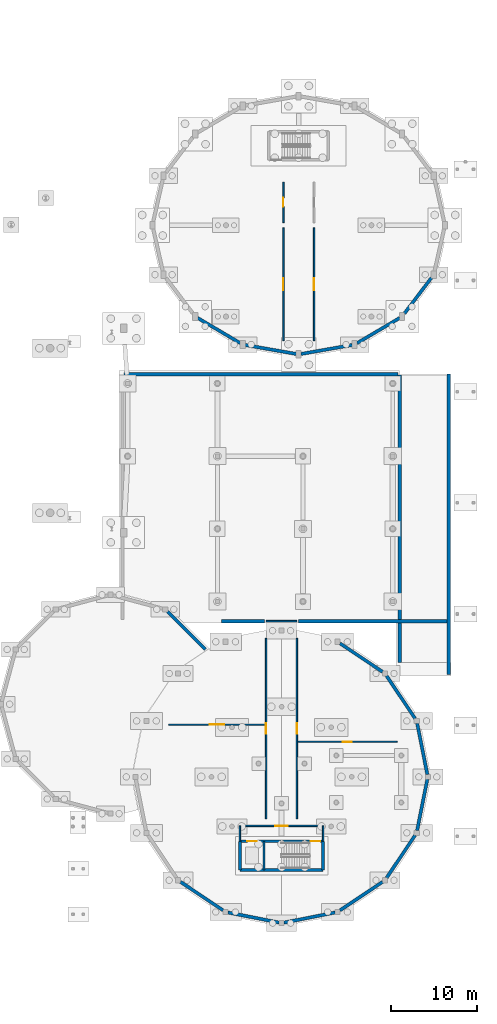
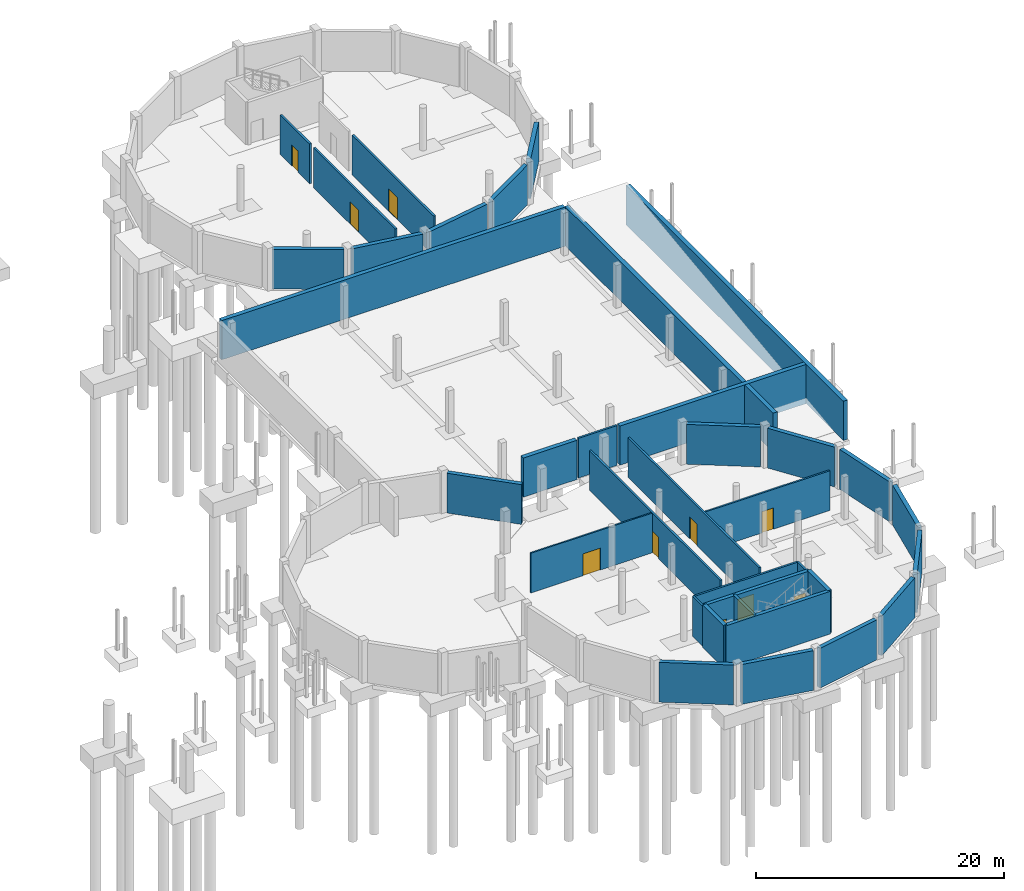
# One storey, part 35 of 43: 36 walls, 10 doors, 10 openings.
"""IFC4 building model written with IfcOpenShell, lengths in metres."""

from ifc_helpers import new_model, si_unit, direction, frame, frame_2d, origin, place, context, subcontext, project, spatial, rectangle, extrude, material, layer, layer_set, type_object, element, fill, save


model = new_model("IFC4")

# Units and contexts
model_context = context("Model", 3, precision=1e-05, world=origin(), true_north=direction((0.0, 1.0)))
body_context = subcontext(model_context, "Body", "Model", "MODEL_VIEW")
ifc_project = project(units=[si_unit("LENGTHUNIT", "METRE"), si_unit("AREAUNIT", "SQUARE_METRE"), si_unit("VOLUMEUNIT", "CUBIC_METRE"), si_unit("PLANEANGLEUNIT", "RADIAN"), si_unit("MASSUNIT", "GRAM", prefix="KILO")], contexts=[model_context])

# Site, building, storey
site_placement = place(None, origin())
site = spatial("IfcSite", under=ifc_project, at=site_placement, CompositionType="ELEMENT")
building_placement = place(site_placement, origin())
building = spatial("IfcBuilding", under=site, at=building_placement, Name="Vespera Passage Community Centre", CompositionType="ELEMENT")
storey_placement = place(building_placement, frame((0.0, 0.0, -4.199951171875)))
storey = spatial("IfcBuildingStorey", under=building, at=storey_placement, Name="B1", CompositionType="ELEMENT", Elevation=-4.199951171875)

# Wall, openings, doors
ifc_material_1 = material(Name="Concrete f'c 45 MPa", Category="concrete")
ifc_layer_1 = layer(ifc_material_1, 0.340087890625)
ifc_layer_set_1 = layer_set([ifc_layer_1], Name="Concrete f'c 45 MPa")
wall_type_1 = type_object("IfcWallType", Name="WT-CORE-340I", PredefinedType="SHEAR", material=ifc_layer_set_1)
wall_1_placement = place(storey_placement, frame((136.135009765625, 17.469970703125, 0.0), z_axis=(0.0, 0.0, 1.0), x_axis=(1.0, 0.0, 0.0)))
wall_1 = element("IfcWall", 1, at=wall_1_placement, inside=storey, type_object=wall_type_1, Name="Core C7 B1 Shear Wall FRONT", PredefinedType="SHEAR", context=body_context, shape_type="SweptSolid", body=[
    extrude(rectangle(XDim=9.72998046875, YDim=0.340087890625, at=frame_2d((4.864990234375, 0.0))), origin(), (0.0, 0.0, 1.0), 4.199951171875),
])
opening_1_placement = place(wall_1_placement, frame((8.264892578125, 0.0, 0.0)))
opening_1 = element("IfcOpeningElement", 2, at=opening_1_placement, cuts=wall_1, Name="Opening DT-STAIR-90", PredefinedType="OPENING", context=body_context, shape_type="SweptSolid", body=[
    extrude(rectangle(XDim=1.14990234375, YDim=2.14990234375, at=frame_2d((0.574951171875, 1.074951171875))), frame((0.0, 0.179931640625, 0.0), z_axis=(0.0, -1.0, 0.0), x_axis=(1.0, 0.0, 0.0)), (0.0, 0.0, 1.0), 0.360107421875),
])
opening_2_placement = place(wall_1_placement, frame((0.8701171875, 0.0, 0.0)))
opening_2 = element("IfcOpeningElement", 3, at=opening_2_placement, cuts=wall_1, Name="Opening DT-LIFT-110", PredefinedType="OPENING", context=body_context, shape_type="SweptSolid", body=[
    extrude(rectangle(XDim=1.10009765625, YDim=2.14990234375, at=frame_2d((0.550048828125, 1.074951171875))), frame((0.0, 0.179931640625, 0.0), z_axis=(0.0, -1.0, 0.0), x_axis=(1.0, 0.0, 0.0)), (0.0, 0.0, 1.0), 0.360107421875),
])
ifc_material_2 = material(Name="Painted hollow-metal acoustic door", Category="steel")
door_type_1 = type_object("IfcDoorType", Name="DT-LIFT-110", OperationType="NOTDEFINED", PredefinedType="DOOR", material=ifc_material_2)
door_1_placement = place(opening_2_placement, origin())
door_1 = element("IfcDoor", 4, at=door_1_placement, inside=storey, type_object=door_type_1, Name="Elevator EL-05 B1 Landing Door LD-026", OperationType="SLIDING_TO_LEFT", OverallHeight=2.14990234375, OverallWidth=1.10009765625, PredefinedType="DOOR", context=body_context, shape_type="SweptSolid", body=[
    extrude(rectangle(XDim=1.10009765625, YDim=2.14990234375, at=frame_2d((0.550048828125, 1.074951171875))), frame((0.0, 0.02490234375, 0.0), z_axis=(0.0, -1.0, 0.0), x_axis=(1.0, 0.0, 0.0)), (0.0, 0.0, 1.0), 0.050048828125),
])
fill(opening_2, door_1)
ifc_material_3 = material(Name="Painted hollow-metal acoustic door", Category="steel")
door_type_2 = type_object("IfcDoorType", Name="DT-STAIR-90", OperationType="NOTDEFINED", PredefinedType="DOOR", material=ifc_material_3)
door_2_placement = place(opening_1_placement, origin())
door_2 = element("IfcDoor", 5, at=door_2_placement, inside=storey, type_object=door_type_2, Name="Core C7 B1 Exit Stair Door D-109", OperationType="SINGLE_SWING_LEFT", OverallHeight=2.14990234375, OverallWidth=1.14990234375, PredefinedType="DOOR", context=body_context, shape_type="SweptSolid", body=[
    extrude(rectangle(XDim=1.14990234375, YDim=2.14990234375, at=frame_2d((0.574951171875, 1.074951171875))), frame((0.0, 0.02490234375, 0.0), z_axis=(0.0, -1.0, 0.0), x_axis=(1.0, 0.0, 0.0)), (0.0, 0.0, 1.0), 0.050048828125),
])
fill(opening_1, door_2)

# Walls
wall_2_placement = place(storey_placement, frame((145.864990234375, 17.469970703125, 0.0), z_axis=(0.0, 0.0, 1.0), x_axis=(0.0, -1.0, 0.0)))
element("IfcWall", 6, at=wall_2_placement, inside=storey, type_object=wall_type_1, Name="Core C7 B1 Shear Wall LEFT", PredefinedType="SHEAR", context=body_context, shape_type="SweptSolid", body=[
    extrude(rectangle(XDim=3.340087890625, YDim=0.340087890625, at=frame_2d((1.669921875, 0.0))), origin(), (0.0, 0.0, 1.0), 4.199951171875),
])
wall_3_placement = place(storey_placement, frame((145.864990234375, 14.1298828125, 0.0), z_axis=(0.0, 0.0, 1.0), x_axis=(-1.0, 0.0, 0.0)))
element("IfcWall", 7, at=wall_3_placement, inside=storey, type_object=wall_type_1, Name="Core C7 B1 Shear Wall BACK", PredefinedType="SHEAR", context=body_context, shape_type="SweptSolid", body=[
    extrude(rectangle(XDim=9.72998046875, YDim=0.340087890625, at=frame_2d((4.864990234375, 0.0))), origin(), (0.0, 0.0, 1.0), 4.199951171875),
])
wall_4_placement = place(storey_placement, frame((136.135009765625, 14.1298828125, 0.0), z_axis=(0.0, 0.0, 1.0), x_axis=(0.0, 1.0, 0.0)))
element("IfcWall", 8, at=wall_4_placement, inside=storey, type_object=wall_type_1, Name="Core C7 B1 Shear Wall RIGHT", PredefinedType="SHEAR", context=body_context, shape_type="SweptSolid", body=[
    extrude(rectangle(XDim=3.340087890625, YDim=0.340087890625, at=frame_2d((1.669921875, 0.0))), origin(), (0.0, 0.0, 1.0), 4.199951171875),
])

# Wall, opening, door
ifc_material_4 = material(Name="Gypsum board acoustic stud partition")
ifc_layer_2 = layer(ifc_material_4, 0.179931640625)
ifc_layer_set_2 = layer_set([ifc_layer_2], Name="Gypsum board acoustic stud partition")
wall_type_2 = type_object("IfcWallType", Name="WT-CORR-180I", PredefinedType="PARTITIONING", material=ifc_layer_set_2)
wall_5_placement = place(storey_placement, frame((145.864990234375, 19.27001953125, 0.0), z_axis=(0.0, 0.0, 1.0), x_axis=(-1.0, 0.0, 0.0)))
wall_5 = element("IfcWall", 9, at=wall_5_placement, inside=storey, type_object=wall_type_2, Name="Core C7 B1 Lift Lobby Front Wall", PredefinedType="PARTITIONING", context=body_context, shape_type="SweptSolid", body=[
    extrude(rectangle(XDim=9.72998046875, YDim=0.179931640625, at=frame_2d((4.864990234375, 0.0))), origin(), (0.0, 0.0, 1.0), 3.9150390625),
])
opening_3_placement = place(wall_5_placement, frame((4.114990234375, 0.0, 0.0)))
opening_3 = element("IfcOpeningElement", 10, at=opening_3_placement, cuts=wall_5, Name="Opening DT-CORR-150", PredefinedType="OPENING", context=body_context, shape_type="SweptSolid", body=[
    extrude(rectangle(XDim=1.5, YDim=2.14990234375, at=frame_2d((0.75, 1.074951171875))), frame((0.0, 0.099853515625, 0.0), z_axis=(0.0, -1.0, 0.0), x_axis=(1.0, 0.0, 0.0)), (0.0, 0.0, 1.0), 0.199951171875),
])
ifc_material_5 = material(Name="Painted hollow-metal acoustic door", Category="steel")
door_type_3 = type_object("IfcDoorType", Name="DT-CORR-150", OperationType="NOTDEFINED", PredefinedType="DOOR", material=ifc_material_5)
door_3_placement = place(opening_3_placement, origin())
door_3 = element("IfcDoor", 11, at=door_3_placement, inside=storey, type_object=door_type_3, Name="Core C7 B1 Lift Lobby Door D-110", OperationType="SINGLE_SWING_RIGHT", OverallHeight=2.14990234375, OverallWidth=1.5, PredefinedType="DOOR", context=body_context, shape_type="SweptSolid", body=[
    extrude(rectangle(XDim=1.5, YDim=2.14990234375, at=frame_2d((0.75, 1.074951171875))), frame((0.0, 0.02490234375, 0.0), z_axis=(0.0, -1.0, 0.0), x_axis=(1.0, 0.0, 0.0)), (0.0, 0.0, 1.0), 0.050048828125),
])
fill(opening_3, door_3)

# Walls
for number, where, z_axis, x_axis, name in (
    (12, (145.864990234375, 17.469970703125, 0.0), (0.0, 0.0, 1.0), (0.0, 1.0, 0.0), "Core C7 B1 Lift Lobby Side Wall L"),
    (13, (136.135009765625, 17.469970703125, 0.0), (0.0, 0.0, 1.0), (0.0, 1.0, 0.0), "Core C7 B1 Lift Lobby Side Wall R"),
):
    element("IfcWall", number, at=place(storey_placement, frame(where, z_axis=z_axis, x_axis=x_axis)), inside=storey, type_object=wall_type_2, Name=name, PredefinedType="PARTITIONING", context=body_context, shape_type="SweptSolid", body=[
        extrude(rectangle(XDim=1.800048828125, YDim=0.179931640625, at=frame_2d((0.89990234375, 0.0))), origin(), (0.0, 0.0, 1.0), 3.9150390625),
    ])

# Wall, opening, door
wall_6_placement = place(storey_placement, frame((141.199951171875, 76.0, 0.0), z_axis=(0.0, 0.0, 1.0), x_axis=(0.0, 1.0, 0.0)))
wall_6 = element("IfcWall", 14, at=wall_6_placement, inside=storey, type_object=wall_type_2, Name="B1 Interior Partition V2-B1-CWS.1", PredefinedType="PARTITIONING", context=body_context, shape_type="SweptSolid", body=[
    extrude(rectangle(XDim=13.199951171875, YDim=0.179931640625, at=frame_2d((6.60009765625, 0.0))), origin(), (0.0, 0.0, 1.0), 3.9150390625),
])
opening_4_placement = place(wall_6_placement, frame((5.875, 0.0, 0.0)))
opening_4 = element("IfcOpeningElement", 15, at=opening_4_placement, cuts=wall_6, Name="Opening DT-PLANT-145", PredefinedType="OPENING", context=body_context, shape_type="SweptSolid", body=[
    extrude(rectangle(XDim=1.449951171875, YDim=2.199951171875, at=frame_2d((0.72509765625, 1.10009765625))), frame((0.0, 0.099853515625, 0.0), z_axis=(0.0, -1.0, 0.0), x_axis=(1.0, 0.0, 0.0)), (0.0, 0.0, 1.0), 0.199951171875),
])
ifc_material_6 = material(Name="Painted hollow-metal acoustic door", Category="steel")
door_type_4 = type_object("IfcDoorType", Name="DT-PLANT-145", OperationType="NOTDEFINED", PredefinedType="DOOR", material=ifc_material_6)
door_4_placement = place(opening_4_placement, origin())
door_4 = element("IfcDoor", 16, at=door_4_placement, inside=storey, type_object=door_type_4, Name="B1 Interior Door D-341", OperationType="SINGLE_SWING_LEFT", OverallHeight=2.199951171875, OverallWidth=1.449951171875, PredefinedType="DOOR", context=body_context, shape_type="SweptSolid", body=[
    extrude(rectangle(XDim=1.449951171875, YDim=2.199951171875, at=frame_2d((0.72509765625, 1.10009765625))), frame((0.0, 0.02490234375, 0.0), z_axis=(0.0, -1.0, 0.0), x_axis=(1.0, 0.0, 0.0)), (0.0, 0.0, 1.0), 0.050048828125),
])
fill(opening_4, door_4)

wall_7_placement = place(storey_placement, frame((141.199951171875, 89.800048828125, 0.0), z_axis=(0.0, 0.0, 1.0), x_axis=(0.0, 1.0, 0.0)))
wall_7 = element("IfcWall", 17, at=wall_7_placement, inside=storey, type_object=wall_type_2, Name="B1 Interior Partition V2-B1-CWN.1", PredefinedType="PARTITIONING", context=body_context, shape_type="SweptSolid", body=[
    extrude(rectangle(XDim=4.75, YDim=0.179931640625, at=frame_2d((2.375, 0.0))), origin(), (0.0, 0.0, 1.0), 3.9150390625),
])
opening_5_placement = place(wall_7_placement, frame((1.85009765625, 0.0, 0.0)))
opening_5 = element("IfcOpeningElement", 18, at=opening_5_placement, cuts=wall_7, Name="Opening DT-CORR-105", PredefinedType="OPENING", context=body_context, shape_type="SweptSolid", body=[
    extrude(rectangle(XDim=1.050048828125, YDim=2.10009765625, at=frame_2d((0.52490234375, 1.050048828125))), frame((0.0, 0.099853515625, 0.0), z_axis=(0.0, -1.0, 0.0), x_axis=(1.0, 0.0, 0.0)), (0.0, 0.0, 1.0), 0.199951171875),
])
ifc_material_7 = material(Name="Painted hollow-metal acoustic door", Category="steel")
door_type_5 = type_object("IfcDoorType", Name="DT-CORR-105", OperationType="NOTDEFINED", PredefinedType="DOOR", material=ifc_material_7)
door_5_placement = place(opening_5_placement, origin())
door_5 = element("IfcDoor", 19, at=door_5_placement, inside=storey, type_object=door_type_5, Name="B1 Interior Door D-342", OperationType="SINGLE_SWING_RIGHT", OverallHeight=2.10009765625, OverallWidth=1.050048828125, PredefinedType="DOOR", context=body_context, shape_type="SweptSolid", body=[
    extrude(rectangle(XDim=1.050048828125, YDim=2.10009765625, at=frame_2d((0.52490234375, 1.050048828125))), frame((0.0, 0.02490234375, 0.0), z_axis=(0.0, -1.0, 0.0), x_axis=(1.0, 0.0, 0.0)), (0.0, 0.0, 1.0), 0.050048828125),
])
fill(opening_5, door_5)

wall_8_placement = place(storey_placement, frame((144.800048828125, 76.0, 0.0), z_axis=(0.0, 0.0, 1.0), x_axis=(0.0, 1.0, 0.0)))
wall_8 = element("IfcWall", 20, at=wall_8_placement, inside=storey, type_object=wall_type_2, Name="B1 Interior Partition V2-B1-CES.1", PredefinedType="PARTITIONING", context=body_context, shape_type="SweptSolid", body=[
    extrude(rectangle(XDim=13.199951171875, YDim=0.179931640625, at=frame_2d((6.60009765625, 0.0))), origin(), (0.0, 0.0, 1.0), 3.9150390625),
])
opening_6_placement = place(wall_8_placement, frame((5.875, 0.0, 0.0)))
opening_6 = element("IfcOpeningElement", 21, at=opening_6_placement, cuts=wall_8, Name="Opening DT-PLANT-145", PredefinedType="OPENING", context=body_context, shape_type="SweptSolid", body=[
    extrude(rectangle(XDim=1.449951171875, YDim=2.199951171875, at=frame_2d((0.72509765625, 1.10009765625))), frame((0.0, 0.099853515625, 0.0), z_axis=(0.0, -1.0, 0.0), x_axis=(1.0, 0.0, 0.0)), (0.0, 0.0, 1.0), 0.199951171875),
])
door_6_placement = place(opening_6_placement, origin())
door_6 = element("IfcDoor", 22, at=door_6_placement, inside=storey, type_object=door_type_4, Name="B1 Interior Door D-343", OperationType="SINGLE_SWING_LEFT", OverallHeight=2.199951171875, OverallWidth=1.449951171875, PredefinedType="DOOR", context=body_context, shape_type="SweptSolid", body=[
    extrude(rectangle(XDim=1.449951171875, YDim=2.199951171875, at=frame_2d((0.72509765625, 1.10009765625))), frame((0.0, 0.02490234375, 0.0), z_axis=(0.0, -1.0, 0.0), x_axis=(1.0, 0.0, 0.0)), (0.0, 0.0, 1.0), 0.050048828125),
])
fill(opening_6, door_6)

# Wall
wall_9_placement = place(storey_placement, frame((139.199951171875, 43.199951171875, 0.0), z_axis=(0.0, 0.0, 1.0), x_axis=(1.0, 0.0, 0.0)))
element("IfcWall", 23, at=wall_9_placement, inside=storey, type_object=wall_type_2, Name="B1 Interior Partition V3-B1-GARDOOR.1", PredefinedType="PARTITIONING", context=body_context, shape_type="SweptSolid", body=[
    extrude(rectangle(XDim=3.60009765625, YDim=0.179931640625, at=frame_2d((1.800048828125, 0.0))), origin(), (0.0, 0.0, 1.0), 3.9150390625),
])

# Wall, opening, door
wall_10_placement = place(storey_placement, frame((139.199951171875, 20.090087890625, 0.0), z_axis=(0.0, 0.0, 1.0), x_axis=(0.0, 1.0, 0.0)))
wall_10 = element("IfcWall", 24, at=wall_10_placement, inside=storey, type_object=wall_type_2, Name="B1 Interior Partition V3-B1-CW.1", PredefinedType="PARTITIONING", context=body_context, shape_type="SweptSolid", body=[
    extrude(rectangle(XDim=21.10986328125, YDim=0.179931640625, at=frame_2d((10.554931640625, 0.0))), origin(), (0.0, 0.0, 1.0), 3.9150390625),
])
opening_7_placement = place(wall_10_placement, frame((9.955078125, 0.0, 0.0)))
opening_7 = element("IfcOpeningElement", 25, at=opening_7_placement, cuts=wall_10, Name="Opening DT-CORR-120", PredefinedType="OPENING", context=body_context, shape_type="SweptSolid", body=[
    extrude(rectangle(XDim=1.199951171875, YDim=2.14990234375, at=frame_2d((0.60009765625, 1.074951171875))), frame((0.0, 0.099853515625, 0.0), z_axis=(0.0, -1.0, 0.0), x_axis=(1.0, 0.0, 0.0)), (0.0, 0.0, 1.0), 0.199951171875),
])
ifc_material_8 = material(Name="Painted hollow-metal acoustic door", Category="steel")
door_type_6 = type_object("IfcDoorType", Name="DT-CORR-120", OperationType="NOTDEFINED", PredefinedType="DOOR", material=ifc_material_8)
door_7_placement = place(opening_7_placement, origin())
door_7 = element("IfcDoor", 26, at=door_7_placement, inside=storey, type_object=door_type_6, Name="B1 Interior Door D-351", OperationType="SINGLE_SWING_LEFT", OverallHeight=2.14990234375, OverallWidth=1.199951171875, PredefinedType="DOOR", context=body_context, shape_type="SweptSolid", body=[
    extrude(rectangle(XDim=1.199951171875, YDim=2.14990234375, at=frame_2d((0.60009765625, 1.074951171875))), frame((0.0, 0.02490234375, 0.0), z_axis=(0.0, -1.0, 0.0), x_axis=(1.0, 0.0, 0.0)), (0.0, 0.0, 1.0), 0.050048828125),
])
fill(opening_7, door_7)

wall_11_placement = place(storey_placement, frame((142.800048828125, 20.090087890625, 0.0), z_axis=(0.0, 0.0, 1.0), x_axis=(0.0, 1.0, 0.0)))
wall_11 = element("IfcWall", 27, at=wall_11_placement, inside=storey, type_object=wall_type_2, Name="B1 Interior Partition V3-B1-CE.1", PredefinedType="PARTITIONING", context=body_context, shape_type="SweptSolid", body=[
    extrude(rectangle(XDim=21.10986328125, YDim=0.179931640625, at=frame_2d((10.554931640625, 0.0))), origin(), (0.0, 0.0, 1.0), 3.9150390625),
])
opening_8_placement = place(wall_11_placement, frame((9.955078125, 0.0, 0.0)))
opening_8 = element("IfcOpeningElement", 28, at=opening_8_placement, cuts=wall_11, Name="Opening DT-CORR-120", PredefinedType="OPENING", context=body_context, shape_type="SweptSolid", body=[
    extrude(rectangle(XDim=1.199951171875, YDim=2.14990234375, at=frame_2d((0.60009765625, 1.074951171875))), frame((0.0, 0.099853515625, 0.0), z_axis=(0.0, -1.0, 0.0), x_axis=(1.0, 0.0, 0.0)), (0.0, 0.0, 1.0), 0.199951171875),
])
door_8_placement = place(opening_8_placement, origin())
door_8 = element("IfcDoor", 29, at=door_8_placement, inside=storey, type_object=door_type_6, Name="B1 Interior Door D-352", OperationType="SINGLE_SWING_RIGHT", OverallHeight=2.14990234375, OverallWidth=1.199951171875, PredefinedType="DOOR", context=body_context, shape_type="SweptSolid", body=[
    extrude(rectangle(XDim=1.199951171875, YDim=2.14990234375, at=frame_2d((0.60009765625, 1.074951171875))), frame((0.0, 0.02490234375, 0.0), z_axis=(0.0, -1.0, 0.0), x_axis=(1.0, 0.0, 0.0)), (0.0, 0.0, 1.0), 0.050048828125),
])
fill(opening_8, door_8)

# Walls
ifc_material_9 = material(Name="Concrete f'c 45 MPa", Category="concrete")
ifc_layer_3 = layer(ifc_material_9, 0.239990234375)
ifc_layer_set_3 = layer_set([ifc_layer_3], Name="Concrete f'c 45 MPa")
wall_type_3 = type_object("IfcWallType", Name="WT-DIV-240I", PredefinedType="SHEAR", material=ifc_layer_set_3)
wall_12_placement = place(storey_placement, frame((138.925048828125, 17.469970703125, 0.0), z_axis=(0.0, 0.0, 1.0), x_axis=(0.0, -1.0, 0.0)))
element("IfcWall", 30, at=wall_12_placement, inside=storey, type_object=wall_type_3, Name="Core C7 B1 Hoistway Divider Wall", PredefinedType="SHEAR", context=body_context, shape_type="SweptSolid", body=[
    extrude(rectangle(XDim=3.340087890625, YDim=0.239990234375, at=frame_2d((1.669921875, 0.0))), origin(), (0.0, 0.0, 1.0), 4.199951171875),
])
ifc_material_10 = material(Name="Concrete f'c 45 MPa", Category="concrete")
ifc_layer_4 = layer(ifc_material_10, 0.3798828125)
ifc_layer_set_4 = layer_set([ifc_layer_4], Name="Concrete f'c 45 MPa")
wall_type_4 = type_object("IfcWallType", Name="WT-RET-380E", PredefinedType="SHEAR", material=ifc_layer_set_4)
wall_13_placement = place(storey_placement, frame((136.177490234375, 75.713623046875, 0.0), z_axis=(0.0, 0.0, 1.0), x_axis=(-0.861235880181, 0.508205429614, 0.0)))
element("IfcWall", 31, at=wall_13_placement, inside=storey, type_object=wall_type_4, Name="V2 B1 Retaining Wall 11", PredefinedType="SHEAR", context=body_context, shape_type="SweptSolid", body=[
    extrude(rectangle(XDim=5.79443359375, YDim=0.3798828125, at=frame_2d((2.897216796875, 0.0))), origin(), (0.0, 0.0, 1.0), 3.919921875),
])
for number, where, z_axis, x_axis, name in (
    (32, (142.724609375, 74.448486328125, 0.0), (0.0, 0.0, 1.0), (-0.984927418504, 0.172968148166, 0.0), "V2 B1 Retaining Wall 12"),
    (33, (149.2685546875, 75.5009765625, 0.0), (0.0, 0.0, 1.0), (-0.984927418504, -0.172968148166, 0.0), "V2 B1 Retaining Wall 13"),
):
    element("IfcWall", number, at=place(storey_placement, frame(where, z_axis=z_axis, x_axis=x_axis)), inside=storey, type_object=wall_type_4, Name=name, PredefinedType="SHEAR", context=body_context, shape_type="SweptSolid", body=[
        extrude(rectangle(XDim=6.0849609375, YDim=0.3798828125, at=frame_2d((3.04248046875, 0.0))), origin(), (0.0, 0.0, 1.0), 3.919921875),
    ])
wall_14_placement = place(storey_placement, frame((154.81298828125, 78.658447265625, 0.0), z_axis=(0.0, 0.0, 1.0), x_axis=(-0.861235880181, -0.508205429614, 0.0)))
element("IfcWall", 34, at=wall_14_placement, inside=storey, type_object=wall_type_4, Name="V2 B1 Retaining Wall 14", PredefinedType="SHEAR", context=body_context, shape_type="SweptSolid", body=[
    extrude(rectangle(XDim=5.79443359375, YDim=0.3798828125, at=frame_2d((2.897216796875, 0.0))), origin(), (0.0, 0.0, 1.0), 3.919921875),
])
wall_15_placement = place(storey_placement, frame((158.513427734375, 83.344970703125, 0.0), z_axis=(0.0, 0.0, 1.0), x_axis=(-0.603398282319, -0.797439974477, 0.0)))
element("IfcWall", 35, at=wall_15_placement, inside=storey, type_object=wall_type_4, Name="V2 B1 Retaining Wall 15", PredefinedType="SHEAR", context=body_context, shape_type="SweptSolid", body=[
    extrude(rectangle(XDim=5.19873046875, YDim=0.3798828125, at=frame_2d((2.599365234375, 0.0))), origin(), (0.0, 0.0, 1.0), 3.919921875),
])
wall_16_placement = place(storey_placement, frame((156.85302734375, 31.268310546875, 0.0), z_axis=(0.0, 0.0, 1.0), x_axis=(0.195101780047, -0.98078300119, 0.0)))
element("IfcWall", 36, at=wall_16_placement, inside=storey, type_object=wall_type_4, Name="V3 B1 Retaining Wall 1", PredefinedType="SHEAR", context=body_context, shape_type="SweptSolid", body=[
    extrude(rectangle(XDim=6.1103515625, YDim=0.3798828125, at=frame_2d((3.05517578125, 0.0))), origin(), (0.0, 0.0, 1.0), 3.919921875),
])
for number, where, z_axis, x_axis, name in (
    (37, (153.278076171875, 36.812255859375, 0.0), (0.0, 0.0, 1.0), (0.555573083966, -0.831467707354, 0.0), "V3 B1 Retaining Wall 2"),
    (38, (147.822998046875, 40.61181640625, 0.0), (0.0, 0.0, 1.0), (0.831467707354, -0.555573083966, 0.0), "V3 B1 Retaining Wall 3"),
    (39, (134.177001953125, 9.38818359375, 0.0), (0.0, 0.0, 1.0), (-0.831467707354, 0.555573083966, 0.0), "V3 B1 Retaining Wall 11"),
):
    element("IfcWall", number, at=place(storey_placement, frame(where, z_axis=z_axis, x_axis=x_axis)), inside=storey, type_object=wall_type_4, Name=name, PredefinedType="SHEAR", context=body_context, shape_type="SweptSolid", body=[
        extrude(rectangle(XDim=6.00048828125, YDim=0.3798828125, at=frame_2d((3.000244140625, 0.0))), origin(), (0.0, 0.0, 1.0), 3.919921875),
    ])
for number, where, z_axis, x_axis, name in (
    (40, (140.724609375, 7.954833984375, 0.0), (0.0, 0.0, 1.0), (-0.98078300119, 0.195101780047, 0.0), "V3 B1 Retaining Wall 12"),
    (41, (147.268310546875, 9.14697265625, 0.0), (0.0, 0.0, 1.0), (-0.98078300119, -0.195101780047, 0.0), "V3 B1 Retaining Wall 13"),
):
    element("IfcWall", number, at=place(storey_placement, frame(where, z_axis=z_axis, x_axis=x_axis)), inside=storey, type_object=wall_type_4, Name=name, PredefinedType="SHEAR", context=body_context, shape_type="SweptSolid", body=[
        extrude(rectangle(XDim=6.1103515625, YDim=0.3798828125, at=frame_2d((3.05517578125, 0.0))), origin(), (0.0, 0.0, 1.0), 3.919921875),
    ])
for number, where, z_axis, x_axis, name in (
    (42, (152.812255859375, 12.721923828125, 0.0), (0.0, 0.0, 1.0), (-0.831467707354, -0.555573083966, 0.0), "V3 B1 Retaining Wall 14"),
    (43, (156.61181640625, 18.177001953125, 0.0), (0.0, 0.0, 1.0), (-0.555573083966, -0.831467707354, 0.0), "V3 B1 Retaining Wall 15"),
):
    element("IfcWall", number, at=place(storey_placement, frame(where, z_axis=z_axis, x_axis=x_axis)), inside=storey, type_object=wall_type_4, Name=name, PredefinedType="SHEAR", context=body_context, shape_type="SweptSolid", body=[
        extrude(rectangle(XDim=6.00048828125, YDim=0.3798828125, at=frame_2d((3.000244140625, 0.0))), origin(), (0.0, 0.0, 1.0), 3.919921875),
    ])
wall_17_placement = place(storey_placement, frame((158.045166015625, 24.724609375, 0.0), z_axis=(0.0, 0.0, 1.0), x_axis=(-0.195101780047, -0.98078300119, 0.0)))
element("IfcWall", 44, at=wall_17_placement, inside=storey, type_object=wall_type_4, Name="V3 B1 Retaining Wall 16", PredefinedType="SHEAR", context=body_context, shape_type="SweptSolid", body=[
    extrude(rectangle(XDim=6.1103515625, YDim=0.3798828125, at=frame_2d((3.05517578125, 0.0))), origin(), (0.0, 0.0, 1.0), 3.919921875),
])
wall_18_placement = place(storey_placement, frame((127.682373046875, 44.302734375, 0.0), z_axis=(0.0, 0.0, 1.0), x_axis=(0.707106781187, -0.707106781187, 0.0)))
element("IfcWall", 45, at=wall_18_placement, inside=storey, type_object=wall_type_4, Name="V3A B1 Cafe Wing Retaining Wall 2", PredefinedType="SHEAR", context=body_context, shape_type="SweptSolid", body=[
    extrude(rectangle(XDim=6.2265625, YDim=0.3798828125, at=frame_2d((3.11328125, 0.0))), origin(), (0.0, 0.0, 1.0), 3.919921875),
])
ifc_material_11 = material(Name="Concrete f'c 45 MPa", Category="concrete")
ifc_layer_5 = layer(ifc_material_11, 0.39990234375)
ifc_layer_set_5 = layer_set([ifc_layer_5], Name="Concrete f'c 45 MPa")
wall_type_5 = type_object("IfcWallType", Name="WT-RET-400E", PredefinedType="SHEAR", material=ifc_layer_set_5)
wall_19_placement = place(storey_placement, frame((122.60009765625, 72.10009765625, 0.0), z_axis=(0.0, 0.0, 1.0), x_axis=(1.0, 0.0, 0.0)))
element("IfcWall", 46, at=wall_19_placement, inside=storey, type_object=wall_type_5, Name="B1 Car Park Retaining Wall N", PredefinedType="SHEAR", context=body_context, shape_type="SweptSolid", body=[
    extrude(rectangle(XDim=32.0, YDim=0.39990234375, at=frame_2d((16.0, 0.0))), origin(), (0.0, 0.0, 1.0), 3.85986328125),
])
wall_20_placement = place(storey_placement, frame((134.0, 43.199951171875, 0.0), z_axis=(0.0, 0.0, 1.0), x_axis=(1.0, 0.0, 0.0)))
element("IfcWall", 47, at=wall_20_placement, inside=storey, type_object=wall_type_5, Name="B1 Car Park Retaining Wall SW", PredefinedType="SHEAR", context=body_context, shape_type="SweptSolid", body=[
    extrude(rectangle(XDim=5.0, YDim=0.39990234375, at=frame_2d((2.5, 0.0))), origin(), (0.0, 0.0, 1.0), 3.85986328125),
])
wall_21_placement = place(storey_placement, frame((143.0, 43.199951171875, 0.0), z_axis=(0.0, 0.0, 1.0), x_axis=(1.0, 0.0, 0.0)))
element("IfcWall", 48, at=wall_21_placement, inside=storey, type_object=wall_type_5, Name="B1 Car Park Retaining Wall SE", PredefinedType="SHEAR", context=body_context, shape_type="SweptSolid", body=[
    extrude(rectangle(XDim=17.35009765625, YDim=0.39990234375, at=frame_2d((8.675048828125, 0.0))), origin(), (0.0, 0.0, 1.0), 3.85986328125),
])
wall_22_placement = place(storey_placement, frame((160.550048828125, 37.0, 0.0), z_axis=(0.0, 0.0, 1.0), x_axis=(0.0, 1.0, 0.0)))
element("IfcWall", 49, at=wall_22_placement, inside=storey, type_object=wall_type_5, Name="B1 Car Park Retaining Wall E", PredefinedType="SHEAR", context=body_context, shape_type="SweptSolid", body=[
    extrude(rectangle(XDim=35.10009765625, YDim=0.39990234375, at=frame_2d((17.550048828125, 0.0))), origin(), (0.0, 0.0, 1.0), 3.85986328125),
])
wall_23_placement = place(storey_placement, frame((154.800048828125, 38.39990234375, 0.0), z_axis=(0.0, 0.0, 1.0), x_axis=(0.0, 1.0, 0.0)))
element("IfcWall", 50, at=wall_23_placement, inside=storey, type_object=wall_type_5, Name="B1 Car Park Retaining Wall RW", PredefinedType="SHEAR", context=body_context, shape_type="SweptSolid", body=[
    extrude(rectangle(XDim=33.60009765625, YDim=0.39990234375, at=frame_2d((16.800048828125, 0.0))), origin(), (0.0, 0.0, 1.0), 3.85986328125),
])

# Wall, opening, door
ifc_material_12 = material(Name="Gypsum board acoustic stud partition")
ifc_layer_6 = layer(ifc_material_12, 0.139892578125)
ifc_layer_set_6 = layer_set([ifc_layer_6], Name="Gypsum board acoustic stud partition")
wall_type_6 = type_object("IfcWallType", Name="WT-ROOM-140I", PredefinedType="PARTITIONING", material=ifc_layer_set_6)
wall_24_placement = place(storey_placement, frame((127.800048828125, 31.10009765625, 0.0), z_axis=(0.0, 0.0, 1.0), x_axis=(1.0, 0.0, 0.0)))
wall_24 = element("IfcWall", 51, at=wall_24_placement, inside=storey, type_object=wall_type_6, Name="B1 Interior Partition V3-B1-DIVW.1", PredefinedType="PARTITIONING", context=body_context, shape_type="SweptSolid", body=[
    extrude(rectangle(XDim=11.300048828125, YDim=0.139892578125, at=frame_2d((5.64990234375, 0.0))), origin(), (0.0, 0.0, 1.0), 3.9150390625),
])
opening_9_placement = place(wall_24_placement, frame((4.824951171875, 0.0, 0.0)))
opening_9 = element("IfcOpeningElement", 52, at=opening_9_placement, cuts=wall_24, Name="Opening DT-INT-165", PredefinedType="OPENING", context=body_context, shape_type="SweptSolid", body=[
    extrude(rectangle(XDim=1.64990234375, YDim=2.14990234375, at=frame_2d((0.824951171875, 1.074951171875))), frame((0.0, 0.079833984375, 0.0), z_axis=(0.0, -1.0, 0.0), x_axis=(1.0, 0.0, 0.0)), (0.0, 0.0, 1.0), 0.159912109375),
])
ifc_material_13 = material(Name="Solid-core maple veneer door", Category="wood")
door_type_7 = type_object("IfcDoorType", Name="DT-INT-165", OperationType="NOTDEFINED", PredefinedType="DOOR", material=ifc_material_13)
door_9_placement = place(opening_9_placement, origin())
door_9 = element("IfcDoor", 53, at=door_9_placement, inside=storey, type_object=door_type_7, Name="B1 Interior Door D-353", OperationType="SINGLE_SWING_LEFT", OverallHeight=2.14990234375, OverallWidth=1.64990234375, PredefinedType="DOOR", context=body_context, shape_type="SweptSolid", body=[
    extrude(rectangle(XDim=1.64990234375, YDim=2.14990234375, at=frame_2d((0.824951171875, 1.074951171875))), frame((0.0, 0.02490234375, 0.0), z_axis=(0.0, -1.0, 0.0), x_axis=(1.0, 0.0, 0.0)), (0.0, 0.0, 1.0), 0.050048828125),
])
fill(opening_9, door_9)

ifc_material_14 = material(Name="Gypsum board acoustic stud partition")
ifc_layer_7 = layer(ifc_material_14, 0.159912109375)
ifc_layer_set_7 = layer_set([ifc_layer_7], Name="Gypsum board acoustic stud partition")
wall_type_7 = type_object("IfcWallType", Name="WT-STC-160I", PredefinedType="PARTITIONING", material=ifc_layer_set_7)
wall_25_placement = place(storey_placement, frame((142.89990234375, 29.10009765625, 0.0), z_axis=(0.0, 0.0, 1.0), x_axis=(1.0, 0.0, 0.0)))
wall_25 = element("IfcWall", 54, at=wall_25_placement, inside=storey, type_object=wall_type_7, Name="B1 Interior Partition V3-B1-DIVE.1", PredefinedType="PARTITIONING", context=body_context, shape_type="SweptSolid", body=[
    extrude(rectangle(XDim=11.60009765625, YDim=0.159912109375, at=frame_2d((5.800048828125, 0.0))), origin(), (0.0, 0.0, 1.0), 3.9150390625),
])
opening_10_placement = place(wall_25_placement, frame((5.27490234375, 0.0, 0.0)))
opening_10 = element("IfcOpeningElement", 55, at=opening_10_placement, cuts=wall_25, Name="Opening DT-CORR-105", PredefinedType="OPENING", context=body_context, shape_type="SweptSolid", body=[
    extrude(rectangle(XDim=1.050048828125, YDim=2.10009765625, at=frame_2d((0.52490234375, 1.050048828125))), frame((0.0, 0.090087890625, 0.0), z_axis=(0.0, -1.0, 0.0), x_axis=(1.0, 0.0, 0.0)), (0.0, 0.0, 1.0), 0.179931640625),
])
door_10_placement = place(opening_10_placement, origin())
door_10 = element("IfcDoor", 56, at=door_10_placement, inside=storey, type_object=door_type_5, Name="B1 Interior Door D-354", OperationType="SINGLE_SWING_RIGHT", OverallHeight=2.10009765625, OverallWidth=1.050048828125, PredefinedType="DOOR", context=body_context, shape_type="SweptSolid", body=[
    extrude(rectangle(XDim=1.050048828125, YDim=2.10009765625, at=frame_2d((0.52490234375, 1.050048828125))), frame((0.0, 0.02490234375, 0.0), z_axis=(0.0, -1.0, 0.0), x_axis=(1.0, 0.0, 0.0)), (0.0, 0.0, 1.0), 0.050048828125),
])
fill(opening_10, door_10)

save(model, "model.ifc")
